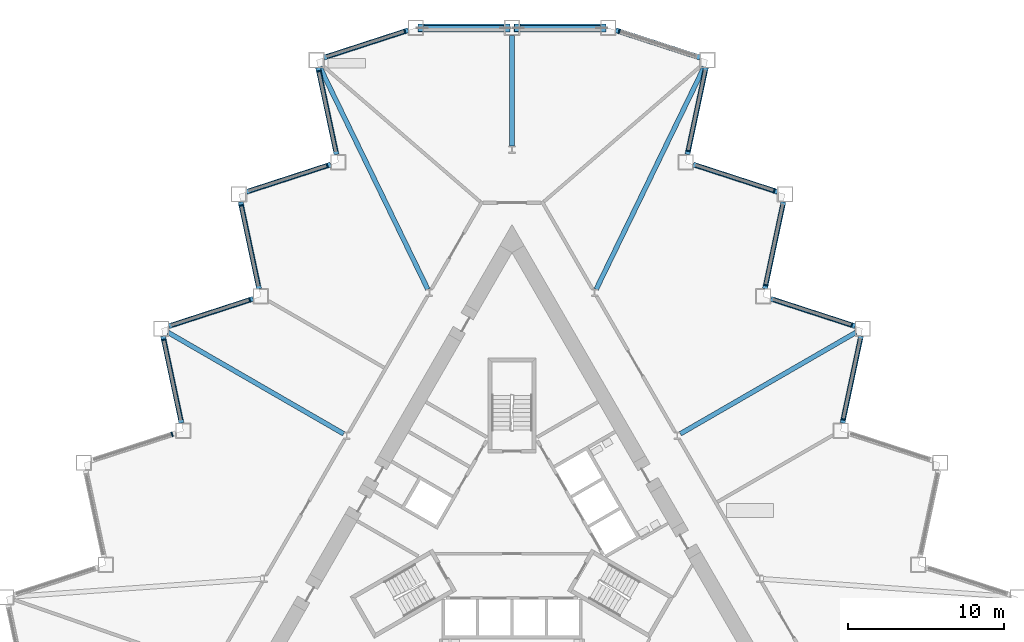
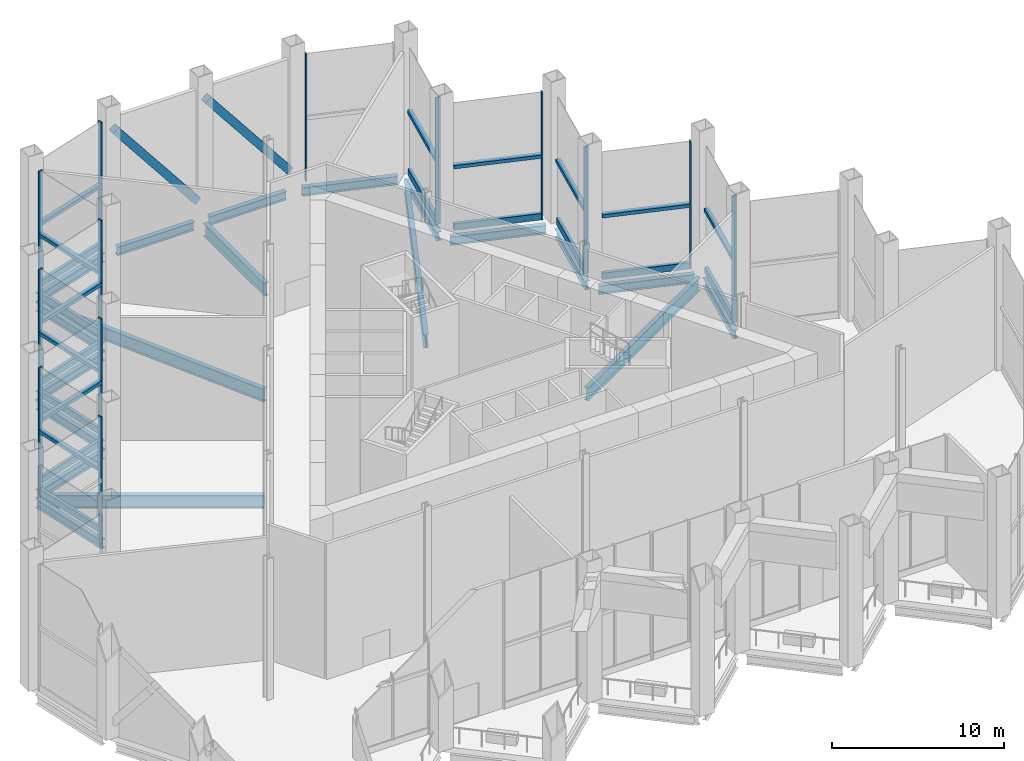
# One storey, part 4 of 17: 37 members, 19 beams, 2 elements without a shape of their own.
"""IFC4 building model written with IfcOpenShell, lengths in metres."""

from ifc_helpers import new_model, si_unit, direction, frame, origin, origin_2d, place, context, subcontext, project, spatial, rectangle, hollow_rectangle, i_section, extrude, material, layer, layer_set, material_profile, profile_set, type_object, element, aggregate, save


model = new_model("IFC4")

# Units and contexts
model_context = context("Model", 3, precision=1e-05, world=origin(), true_north=direction((0.0, 1.0)))
body_context = subcontext(model_context, "Body", "Model", "MODEL_VIEW")
ifc_project = project(units=[si_unit("LENGTHUNIT", "METRE"), si_unit("AREAUNIT", "SQUARE_METRE"), si_unit("VOLUMEUNIT", "CUBIC_METRE"), si_unit("PLANEANGLEUNIT", "RADIAN"), si_unit("MASSUNIT", "GRAM", prefix="KILO")], contexts=[model_context])

# Site, building, storey
site_placement = place(None, origin())
site = spatial("IfcSite", under=ifc_project, at=site_placement, CompositionType="ELEMENT")
building_placement = place(site_placement, origin())
building = spatial("IfcBuilding", under=site, at=building_placement, Name="Cormorant Prow Tower", CompositionType="ELEMENT")
storey_placement = place(building_placement, frame((0.0, 0.0, 84.60009765625)))
storey = spatial("IfcBuildingStorey", under=building, at=storey_placement, Name="L18", CompositionType="ELEMENT", Elevation=84.60009765625)

# Members
ifc_material_1 = material(Name="Structural steel ASTM A500 Gr C", Category="steel")
ifc_material_profile_1 = material_profile(ifc_material_1, hollow_rectangle(XDim=0.508056640625, YDim=0.508056640625, WallThickness=0.014892578125, at=origin_2d()), Name="HSS20x20x5/8")
ifc_profile_set_1 = profile_set([ifc_material_profile_1], Name="Structural steel ASTM A500 Gr C")
member_type_1 = type_object("IfcMemberType", Name="Chamfer brace HSS20x20x5/8", PredefinedType="BRACE", material=ifc_profile_set_1)
for number, where, z_axis, x_axis, name in (
    (1, (5.831298828125, 32.233642578125, 1.027099609375), (-0.620914983162, 0.0, 0.783877913762), (0.0, -1.0, 0.0), "Chamfer brace BR1 at N00 L18"),
    (2, (-0.33837890625, 32.233642578125, 1.027099609375), (-0.620914983162, 0.0, 0.783877913762), (0.0, -1.0, 0.0), "Chamfer brace BR1 at N01 L18"),
):
    element("IfcMember", number, at=place(storey_placement, frame(where, z_axis=z_axis, x_axis=x_axis)), inside=storey, type_object=member_type_1, Name=name, PredefinedType="BRACE", context=body_context, shape_type="SweptSolid", body=[
        extrude(hollow_rectangle(XDim=0.508056640625, YDim=0.508056640625, WallThickness=0.014892578125, at=origin_2d()), origin(), (0.0, 0.0, 1.0), 8.846435546875),
    ])

# Beams
ifc_material_2 = material(Name="Structural steel ASTM A992 Gr 50", Category="steel")
ifc_material_profile_2 = material_profile(ifc_material_2, i_section(OverallWidth=0.3046875, OverallDepth=0.914794921875, WebThickness=0.0166015625, FlangeThickness=0.02587890625, at=origin_2d()), Name="W36x160")
ifc_profile_set_2 = profile_set([ifc_material_profile_2], Name="Structural steel ASTM A992 Gr 50")
beam_type_1 = type_object("IfcBeamType", Name="Radial floor beam W36x160", PredefinedType="BEAM", material=ifc_profile_set_2)
beam_1_placement = place(storey_placement, frame((0.0, 24.662109375, -0.857421875), z_axis=(0.0, 1.0, 0.0), x_axis=(-1.0, 0.0, 0.0)))
element("IfcBeam", 3, at=beam_1_placement, inside=storey, type_object=beam_type_1, Name="Radial floor beam FB1 1 L18", PredefinedType="BEAM", context=body_context, shape_type="SweptSolid", body=[
    extrude(i_section(OverallWidth=0.3046875, OverallDepth=0.914794921875, WebThickness=0.0166015625, FlangeThickness=0.02587890625, at=origin_2d()), origin(), (0.0, 0.0, 1.0), 7.071533203125),
])
beam_2_placement = place(storey_placement, frame((-5.390625, 15.4775390625, -0.857421875), z_axis=(-0.436839436813, 0.899539496879, 0.0), x_axis=(-0.899539496879, -0.436839436813, 0.0)))
element("IfcBeam", 4, at=beam_2_placement, inside=storey, type_object=beam_type_1, Name="Radial floor beam FB1 2 L18", PredefinedType="BEAM", context=body_context, shape_type="SweptSolid", body=[
    extrude(i_section(OverallWidth=0.3046875, OverallDepth=0.914794921875, WebThickness=0.0166015625, FlangeThickness=0.02587890625, at=origin_2d()), origin(), (0.0, 0.0, 1.0), 15.83203125),
])
for number, where, z_axis, x_axis, name in (
    (5, (-10.779541015625, 6.2236328125, -0.857421875), (-0.866030278318, 0.499991556966, 0.0), (-0.499991556966, -0.866030278318, 0.0), "Radial floor beam FB1 3 L18"),
    (6, (10.779541015625, 6.2236328125, -0.857421875), (0.866030278318, 0.499991556966, 0.0), (-0.499991556966, 0.866030278318, 0.0), "Radial floor beam FB1 11 L18"),
):
    element("IfcBeam", number, at=place(storey_placement, frame(where, z_axis=z_axis, x_axis=x_axis)), inside=storey, type_object=beam_type_1, Name=name, PredefinedType="BEAM", context=body_context, shape_type="SweptSolid", body=[
        extrude(i_section(OverallWidth=0.3046875, OverallDepth=0.914794921875, WebThickness=0.0166015625, FlangeThickness=0.02587890625, at=origin_2d()), origin(), (0.0, 0.0, 1.0), 12.984130859375),
    ])
beam_3_placement = place(storey_placement, frame((5.390625, 15.4775390625, -0.857421875), z_axis=(0.436839436813, 0.899539496879, 0.0), x_axis=(-0.899539496879, 0.436839436813, 0.0)))
element("IfcBeam", 7, at=beam_3_placement, inside=storey, type_object=beam_type_1, Name="Radial floor beam FB1 12 L18", PredefinedType="BEAM", context=body_context, shape_type="SweptSolid", body=[
    extrude(i_section(OverallWidth=0.3046875, OverallDepth=0.914794921875, WebThickness=0.0166015625, FlangeThickness=0.02587890625, at=origin_2d()), origin(), (0.0, 0.0, 1.0), 15.83203125),
])

# Curtain wall, members
ifc_material_3 = material(Name="Aluminium 6063-T6", Category="aluminium")
ifc_layer = layer(ifc_material_3, 0.300048828125)
ifc_layer_set = layer_set([ifc_layer], Name="Aluminium 6063-T6")
curtain_wall_type = type_object("IfcCurtainWallType", Name="Sky lobby unitised curtain wall 300", PredefinedType="NOTDEFINED", material=ifc_layer_set)
curtain_wall_1_placement = place(storey_placement, origin())
curtain_wall_1 = element("IfcCurtainWall", 8, at=curtain_wall_1_placement, inside=storey, type_object=curtain_wall_type, Name="Sky lobby curtain wall ENE00-ENE09", PredefinedType="NOTDEFINED")
ifc_material_4 = material(Name="Aluminium 6063-T6", Category="aluminium")
ifc_material_profile_3 = material_profile(ifc_material_4, rectangle(XDim=0.300048828125, YDim=0.239990234375, at=origin_2d()), Name="Sky lobby intermediate transom 300x240")
ifc_profile_set_3 = profile_set([ifc_material_profile_3], Name="Aluminium 6063-T6")
member_type_2 = type_object("IfcMemberType", Name="Sky lobby intermediate transom 300x240", PredefinedType="USERDEFINED", material=ifc_profile_set_3)
member_1_placement = place(storey_placement, frame((21.230712890625, 7.195068359375, 4.494384765625), z_axis=(0.207892469327, 0.97815168619, 0.0), x_axis=(-0.97815168619, 0.207892469327, 0.0)))
member_1 = element("IfcMember", 9, at=member_1_placement, type_object=member_type_2, Name="Sky lobby intermediate transom ENE00-ENE09", ObjectType="TRANSOM", PredefinedType="USERDEFINED", context=body_context, shape_type="SweptSolid", body=[
    extrude(rectangle(XDim=0.300048828125, YDim=0.239990234375, at=origin_2d()), origin(), (0.0, 0.0, 1.0), 5.196533203125),
])
member_2_placement = place(storey_placement, frame((21.712646484375, 13.207763671875, 4.494384765625), z_axis=(-0.95106134075, 0.309002145834, 0.0), x_axis=(-0.309002145834, -0.95106134075, 0.0)))
member_2 = element("IfcMember", 10, at=member_2_placement, type_object=member_type_2, Name="Sky lobby intermediate transom ENE00-ENE09", ObjectType="TRANSOM", PredefinedType="USERDEFINED", context=body_context, shape_type="SweptSolid", body=[
    extrude(rectangle(XDim=0.300048828125, YDim=0.239990234375, at=origin_2d()), origin(), (0.0, 0.0, 1.0), 5.196533203125),
])
member_3_placement = place(storey_placement, frame((16.2646484375, 15.796630859375, 4.494384765625), z_axis=(0.207892469327, 0.97815168619, 0.0), x_axis=(-0.97815168619, 0.207892469327, 0.0)))
member_3 = element("IfcMember", 11, at=member_3_placement, type_object=member_type_2, Name="Sky lobby intermediate transom ENE00-ENE09", ObjectType="TRANSOM", PredefinedType="USERDEFINED", context=body_context, shape_type="SweptSolid", body=[
    extrude(rectangle(XDim=0.300048828125, YDim=0.239990234375, at=origin_2d()), origin(), (0.0, 0.0, 1.0), 5.196533203125),
])
member_4_placement = place(storey_placement, frame((16.74658203125, 21.80908203125, 4.494384765625), z_axis=(-0.951052019704, 0.309030833117, 0.0), x_axis=(-0.309030833117, -0.951052019704, 0.0)))
member_4 = element("IfcMember", 12, at=member_4_placement, type_object=member_type_2, Name="Sky lobby intermediate transom ENE00-ENE09", ObjectType="TRANSOM", PredefinedType="USERDEFINED", context=body_context, shape_type="SweptSolid", body=[
    extrude(rectangle(XDim=0.300048828125, YDim=0.239990234375, at=origin_2d()), origin(), (0.0, 0.0, 1.0), 5.19677734375),
])
member_5_placement = place(storey_placement, frame((11.298583984375, 24.39794921875, 4.494384765625), z_axis=(0.207892469327, 0.97815168619, 0.0), x_axis=(-0.97815168619, 0.207892469327, 0.0)))
member_5 = element("IfcMember", 13, at=member_5_placement, type_object=member_type_2, Name="Sky lobby intermediate transom ENE00-ENE09", ObjectType="TRANSOM", PredefinedType="USERDEFINED", context=body_context, shape_type="SweptSolid", body=[
    extrude(rectangle(XDim=0.300048828125, YDim=0.239990234375, at=origin_2d()), origin(), (0.0, 0.0, 1.0), 5.196533203125),
])

curtain_wall_2_placement = place(storey_placement, origin())
curtain_wall_2 = element("IfcCurtainWall", 14, at=curtain_wall_2_placement, inside=storey, type_object=curtain_wall_type, Name="Sky lobby curtain wall WNW00-WNW09", PredefinedType="NOTDEFINED")
member_6_placement = place(storey_placement, frame((-6.914306640625, 31.99169921875, 4.494384765625), z_axis=(-0.95106134075, -0.309002145834, 0.0), x_axis=(0.309002145834, -0.95106134075, 0.0)))
member_6 = element("IfcMember", 15, at=member_6_placement, type_object=member_type_2, Name="Sky lobby intermediate transom WNW00-WNW09", ObjectType="TRANSOM", PredefinedType="USERDEFINED", context=body_context, shape_type="SweptSolid", body=[
    extrude(rectangle(XDim=0.300048828125, YDim=0.239990234375, at=origin_2d()), origin(), (0.0, 0.0, 1.0), 5.196533203125),
])
member_7_placement = place(storey_placement, frame((-12.3623046875, 29.40283203125, 4.494384765625), z_axis=(0.207892469327, -0.97815168619, 0.0), x_axis=(0.97815168619, 0.207892469327, 0.0)))
member_7 = element("IfcMember", 16, at=member_7_placement, type_object=member_type_2, Name="Sky lobby intermediate transom WNW00-WNW09", ObjectType="TRANSOM", PredefinedType="USERDEFINED", context=body_context, shape_type="SweptSolid", body=[
    extrude(rectangle(XDim=0.300048828125, YDim=0.239990234375, at=origin_2d()), origin(), (0.0, 0.0, 1.0), 5.196533203125),
])
member_8_placement = place(storey_placement, frame((-11.88037109375, 23.39013671875, 4.494384765625), z_axis=(-0.95106134075, -0.309002145834, 0.0), x_axis=(0.309002145834, -0.95106134075, 0.0)))
member_8 = element("IfcMember", 17, at=member_8_placement, type_object=member_type_2, Name="Sky lobby intermediate transom WNW00-WNW09", ObjectType="TRANSOM", PredefinedType="USERDEFINED", context=body_context, shape_type="SweptSolid", body=[
    extrude(rectangle(XDim=0.300048828125, YDim=0.239990234375, at=origin_2d()), origin(), (0.0, 0.0, 1.0), 5.196533203125),
])
member_9_placement = place(storey_placement, frame((-17.328369140625, 20.80126953125, 4.494384765625), z_axis=(0.207892469327, -0.97815168619, 0.0), x_axis=(0.97815168619, 0.207892469327, 0.0)))
member_9 = element("IfcMember", 18, at=member_9_placement, type_object=member_type_2, Name="Sky lobby intermediate transom WNW00-WNW09", ObjectType="TRANSOM", PredefinedType="USERDEFINED", context=body_context, shape_type="SweptSolid", body=[
    extrude(rectangle(XDim=0.300048828125, YDim=0.239990234375, at=origin_2d()), origin(), (0.0, 0.0, 1.0), 5.196533203125),
])
member_10_placement = place(storey_placement, frame((-16.846435546875, 14.788818359375, 4.494384765625), z_axis=(-0.951047532863, -0.309044641168, 0.0), x_axis=(0.309044641168, -0.951047532863, 0.0)))
member_10 = element("IfcMember", 19, at=member_10_placement, type_object=member_type_2, Name="Sky lobby intermediate transom WNW00-WNW09", ObjectType="TRANSOM", PredefinedType="USERDEFINED", context=body_context, shape_type="SweptSolid", body=[
    extrude(rectangle(XDim=0.300048828125, YDim=0.239990234375, at=origin_2d()), origin(), (0.0, 0.0, 1.0), 5.196533203125),
])
member_11_placement = place(storey_placement, frame((-22.29443359375, 12.19970703125, 4.494384765625), z_axis=(0.207902023431, -0.97814965555, 0.0), x_axis=(0.97814965555, 0.207902023431, 0.0)))
member_11 = element("IfcMember", 20, at=member_11_placement, type_object=member_type_2, Name="Sky lobby intermediate transom WNW00-WNW09", ObjectType="TRANSOM", PredefinedType="USERDEFINED", context=body_context, shape_type="SweptSolid", body=[
    extrude(rectangle(XDim=0.300048828125, YDim=0.239990234375, at=origin_2d()), origin(), (0.0, 0.0, 1.0), 5.1962890625),
])

# Member
ifc_material_5 = material(Name="Aluminium 6063-T6", Category="aluminium")
ifc_material_profile_4 = material_profile(ifc_material_5, rectangle(XDim=0.300048828125, YDim=0.080078125, at=origin_2d()), Name="Sky lobby mullion 80x300")
ifc_profile_set_4 = profile_set([ifc_material_profile_4], Name="Aluminium 6063-T6")
member_type_3 = type_object("IfcMemberType", Name="Sky lobby mullion 80x300", PredefinedType="MULLION", material=ifc_profile_set_4)
member_12_placement = place(storey_placement, frame((21.222412109375, 7.156005859375, 0.0), z_axis=(0.0, 0.0, 1.0), x_axis=(-0.978147620558, 0.207911597554, 0.0)))
member_12 = element("IfcMember", 21, at=member_12_placement, type_object=member_type_3, Name="Sky lobby mullion ENE00-ENE09", PredefinedType="MULLION", context=body_context, shape_type="SweptSolid", body=[
    extrude(rectangle(XDim=0.300048828125, YDim=0.080078125, at=origin_2d()), origin(), (0.0, 0.0, 1.0), 8.98876953125),
])

member_13_placement = place(storey_placement, frame((21.75048828125, 13.1953125, 0.0), z_axis=(0.0, 0.0, 1.0), x_axis=(-0.309017131848, -0.951056471627, 0.0)))
member_13 = element("IfcMember", 22, at=member_13_placement, type_object=member_type_3, Name="Sky lobby mullion ENE00-ENE09", PredefinedType="MULLION", context=body_context, shape_type="SweptSolid", body=[
    extrude(rectangle(XDim=0.300048828125, YDim=0.080078125, at=origin_2d()), origin(), (0.0, 0.0, 1.0), 8.98876953125),
])

member_14_placement = place(storey_placement, frame((16.25634765625, 15.757568359375, 0.0), z_axis=(0.0, 0.0, 1.0), x_axis=(-0.978147620558, 0.207911597554, 0.0)))
member_14 = element("IfcMember", 23, at=member_14_placement, type_object=member_type_3, Name="Sky lobby mullion ENE00-ENE09", PredefinedType="MULLION", context=body_context, shape_type="SweptSolid", body=[
    extrude(rectangle(XDim=0.300048828125, YDim=0.080078125, at=origin_2d()), origin(), (0.0, 0.0, 1.0), 8.98876953125),
])

member_15_placement = place(storey_placement, frame((16.784423828125, 21.796875, 0.0), z_axis=(0.0, 0.0, 1.0), x_axis=(-0.309016996483, -0.95105651561, 0.0)))
member_15 = element("IfcMember", 24, at=member_15_placement, type_object=member_type_3, Name="Sky lobby mullion ENE00-ENE09", PredefinedType="MULLION", context=body_context, shape_type="SweptSolid", body=[
    extrude(rectangle(XDim=0.300048828125, YDim=0.080078125, at=origin_2d()), origin(), (0.0, 0.0, 1.0), 8.98876953125),
])

member_16_placement = place(storey_placement, frame((11.290283203125, 24.35888671875, 0.0), z_axis=(0.0, 0.0, 1.0), x_axis=(-0.978147620558, 0.207911597554, 0.0)))
member_16 = element("IfcMember", 25, at=member_16_placement, type_object=member_type_3, Name="Sky lobby mullion ENE00-ENE09", PredefinedType="MULLION", context=body_context, shape_type="SweptSolid", body=[
    extrude(rectangle(XDim=0.300048828125, YDim=0.080078125, at=origin_2d()), origin(), (0.0, 0.0, 1.0), 8.98876953125),
])

member_17_placement = place(storey_placement, frame((6.876220703125, 32.004150390625, 0.0), z_axis=(0.0, 0.0, 1.0), x_axis=(-0.309016952512, -0.951056529897, 0.0)))
member_17 = element("IfcMember", 26, at=member_17_placement, type_object=member_type_3, Name="Sky lobby mullion ENE00-ENE09", PredefinedType="MULLION", context=body_context, shape_type="SweptSolid", body=[
    extrude(rectangle(XDim=0.300048828125, YDim=0.080078125, at=origin_2d()), origin(), (0.0, 0.0, 1.0), 8.98876953125),
])

member_18_placement = place(storey_placement, frame((-6.876220703125, 32.004150390625, 0.0), z_axis=(0.0, 0.0, 1.0), x_axis=(0.309016952512, -0.951056529897, 0.0)))
member_18 = element("IfcMember", 27, at=member_18_placement, type_object=member_type_3, Name="Sky lobby mullion WNW00-WNW09", PredefinedType="MULLION", context=body_context, shape_type="SweptSolid", body=[
    extrude(rectangle(XDim=0.300048828125, YDim=0.080078125, at=origin_2d()), origin(), (0.0, 0.0, 1.0), 8.98876953125),
])

member_19_placement = place(storey_placement, frame((-12.37060546875, 29.44189453125, 0.0), z_axis=(0.0, 0.0, 1.0), x_axis=(0.978147620558, 0.207911597554, 0.0)))
member_19 = element("IfcMember", 28, at=member_19_placement, type_object=member_type_3, Name="Sky lobby mullion WNW00-WNW09", PredefinedType="MULLION", context=body_context, shape_type="SweptSolid", body=[
    extrude(rectangle(XDim=0.300048828125, YDim=0.080078125, at=origin_2d()), origin(), (0.0, 0.0, 1.0), 8.98876953125),
])

member_20_placement = place(storey_placement, frame((-11.84228515625, 23.402587890625, 0.0), z_axis=(0.0, 0.0, 1.0), x_axis=(0.309016996483, -0.95105651561, 0.0)))
member_20 = element("IfcMember", 29, at=member_20_placement, type_object=member_type_3, Name="Sky lobby mullion WNW00-WNW09", PredefinedType="MULLION", context=body_context, shape_type="SweptSolid", body=[
    extrude(rectangle(XDim=0.300048828125, YDim=0.080078125, at=origin_2d()), origin(), (0.0, 0.0, 1.0), 8.98876953125),
])

member_21_placement = place(storey_placement, frame((-17.336669921875, 20.84033203125, 0.0), z_axis=(0.0, 0.0, 1.0), x_axis=(0.978147620558, 0.207911597554, 0.0)))
member_21 = element("IfcMember", 30, at=member_21_placement, type_object=member_type_3, Name="Sky lobby mullion WNW00-WNW09", PredefinedType="MULLION", context=body_context, shape_type="SweptSolid", body=[
    extrude(rectangle(XDim=0.300048828125, YDim=0.080078125, at=origin_2d()), origin(), (0.0, 0.0, 1.0), 8.98876953125),
])

member_22_placement = place(storey_placement, frame((-16.808349609375, 14.801025390625, 0.0), z_axis=(0.0, 0.0, 1.0), x_axis=(0.309017131848, -0.951056471627, 0.0)))
member_22 = element("IfcMember", 31, at=member_22_placement, type_object=member_type_3, Name="Sky lobby mullion WNW00-WNW09", PredefinedType="MULLION", context=body_context, shape_type="SweptSolid", body=[
    extrude(rectangle(XDim=0.300048828125, YDim=0.080078125, at=origin_2d()), origin(), (0.0, 0.0, 1.0), 8.98876953125),
])

member_23_placement = place(storey_placement, frame((-22.302734375, 12.239013671875, 0.0), z_axis=(0.0, 0.0, 1.0), x_axis=(0.978147620558, 0.207911597554, 0.0)))
member_23 = element("IfcMember", 32, at=member_23_placement, type_object=member_type_3, Name="Sky lobby mullion WNW00-WNW09", PredefinedType="MULLION", context=body_context, shape_type="SweptSolid", body=[
    extrude(rectangle(XDim=0.300048828125, YDim=0.080078125, at=origin_2d()), origin(), (0.0, 0.0, 1.0), 8.98876953125),
])

member_24_placement = place(storey_placement, frame((-21.7744140625, 6.19970703125, 0.0), z_axis=(0.0, 0.0, 1.0), x_axis=(0.309016952512, -0.951056529897, 0.0)))
member_24 = element("IfcMember", 33, at=member_24_placement, type_object=member_type_3, Name="Sky lobby mullion WNW00-WNW09", PredefinedType="MULLION", context=body_context, shape_type="SweptSolid", body=[
    extrude(rectangle(XDim=0.300048828125, YDim=0.080078125, at=origin_2d()), origin(), (0.0, 0.0, 1.0), 8.98876953125),
])

ifc_material_6 = material(Name="Terracotta", Category="masonry")
ifc_material_profile_5 = material_profile(ifc_material_6, rectangle(XDim=0.219970703125, YDim=0.449951171875, at=origin_2d()), Name="Sky lobby terracotta spandrel rail 220x450")
ifc_profile_set_5 = profile_set([ifc_material_profile_5], Name="Terracotta")
member_type_4 = type_object("IfcMemberType", Name="Sky lobby terracotta spandrel rail 220x450", PredefinedType="USERDEFINED", material=ifc_profile_set_5)
member_25_placement = place(storey_placement, frame((21.230712890625, 7.195068359375, 0.224853515625), z_axis=(0.207892469327, 0.97815168619, 0.0), x_axis=(-0.97815168619, 0.207892469327, 0.0)))
member_25 = element("IfcMember", 34, at=member_25_placement, type_object=member_type_4, Name="Sky lobby spandrel rail ENE00-ENE09", ObjectType="TRANSOM", PredefinedType="USERDEFINED", context=body_context, shape_type="SweptSolid", body=[
    extrude(rectangle(XDim=0.219970703125, YDim=0.449951171875, at=origin_2d()), origin(), (0.0, 0.0, 1.0), 5.196533203125),
])

member_26_placement = place(storey_placement, frame((21.712646484375, 13.207763671875, 0.224853515625), z_axis=(-0.95106134075, 0.309002145834, 0.0), x_axis=(-0.309002145834, -0.95106134075, 0.0)))
member_26 = element("IfcMember", 35, at=member_26_placement, type_object=member_type_4, Name="Sky lobby spandrel rail ENE00-ENE09", ObjectType="TRANSOM", PredefinedType="USERDEFINED", context=body_context, shape_type="SweptSolid", body=[
    extrude(rectangle(XDim=0.219970703125, YDim=0.449951171875, at=origin_2d()), origin(), (0.0, 0.0, 1.0), 5.196533203125),
])

member_27_placement = place(storey_placement, frame((16.2646484375, 15.796630859375, 0.224853515625), z_axis=(0.207892469327, 0.97815168619, 0.0), x_axis=(-0.97815168619, 0.207892469327, 0.0)))
member_27 = element("IfcMember", 36, at=member_27_placement, type_object=member_type_4, Name="Sky lobby spandrel rail ENE00-ENE09", ObjectType="TRANSOM", PredefinedType="USERDEFINED", context=body_context, shape_type="SweptSolid", body=[
    extrude(rectangle(XDim=0.219970703125, YDim=0.449951171875, at=origin_2d()), origin(), (0.0, 0.0, 1.0), 5.196533203125),
])

member_28_placement = place(storey_placement, frame((16.74658203125, 21.80908203125, 0.224853515625), z_axis=(-0.951052019704, 0.309030833117, 0.0), x_axis=(-0.309030833117, -0.951052019704, 0.0)))
member_28 = element("IfcMember", 37, at=member_28_placement, type_object=member_type_4, Name="Sky lobby spandrel rail ENE00-ENE09", ObjectType="TRANSOM", PredefinedType="USERDEFINED", context=body_context, shape_type="SweptSolid", body=[
    extrude(rectangle(XDim=0.219970703125, YDim=0.449951171875, at=origin_2d()), origin(), (0.0, 0.0, 1.0), 5.19677734375),
])

member_29_placement = place(storey_placement, frame((11.298583984375, 24.39794921875, 0.224853515625), z_axis=(0.207892469327, 0.97815168619, 0.0), x_axis=(-0.97815168619, 0.207892469327, 0.0)))
member_29 = element("IfcMember", 38, at=member_29_placement, type_object=member_type_4, Name="Sky lobby spandrel rail ENE00-ENE09", ObjectType="TRANSOM", PredefinedType="USERDEFINED", context=body_context, shape_type="SweptSolid", body=[
    extrude(rectangle(XDim=0.219970703125, YDim=0.449951171875, at=origin_2d()), origin(), (0.0, 0.0, 1.0), 5.196533203125),
])

aggregate(curtain_wall_1, [member_12, member_25, member_1, member_13, member_26, member_2, member_14, member_27, member_3, member_15, member_28, member_4, member_16, member_29, member_5, member_17])

member_30_placement = place(storey_placement, frame((-6.914306640625, 31.99169921875, 0.224853515625), z_axis=(-0.95106134075, -0.309002145834, 0.0), x_axis=(0.309002145834, -0.95106134075, 0.0)))
member_30 = element("IfcMember", 39, at=member_30_placement, type_object=member_type_4, Name="Sky lobby spandrel rail WNW00-WNW09", ObjectType="TRANSOM", PredefinedType="USERDEFINED", context=body_context, shape_type="SweptSolid", body=[
    extrude(rectangle(XDim=0.219970703125, YDim=0.449951171875, at=origin_2d()), origin(), (0.0, 0.0, 1.0), 5.196533203125),
])

member_31_placement = place(storey_placement, frame((-12.3623046875, 29.40283203125, 0.224853515625), z_axis=(0.207892469327, -0.97815168619, 0.0), x_axis=(0.97815168619, 0.207892469327, 0.0)))
member_31 = element("IfcMember", 40, at=member_31_placement, type_object=member_type_4, Name="Sky lobby spandrel rail WNW00-WNW09", ObjectType="TRANSOM", PredefinedType="USERDEFINED", context=body_context, shape_type="SweptSolid", body=[
    extrude(rectangle(XDim=0.219970703125, YDim=0.449951171875, at=origin_2d()), origin(), (0.0, 0.0, 1.0), 5.196533203125),
])

member_32_placement = place(storey_placement, frame((-11.88037109375, 23.39013671875, 0.224853515625), z_axis=(-0.95106134075, -0.309002145834, 0.0), x_axis=(0.309002145834, -0.95106134075, 0.0)))
member_32 = element("IfcMember", 41, at=member_32_placement, type_object=member_type_4, Name="Sky lobby spandrel rail WNW00-WNW09", ObjectType="TRANSOM", PredefinedType="USERDEFINED", context=body_context, shape_type="SweptSolid", body=[
    extrude(rectangle(XDim=0.219970703125, YDim=0.449951171875, at=origin_2d()), origin(), (0.0, 0.0, 1.0), 5.196533203125),
])

member_33_placement = place(storey_placement, frame((-17.328369140625, 20.80126953125, 0.224853515625), z_axis=(0.207892469327, -0.97815168619, 0.0), x_axis=(0.97815168619, 0.207892469327, 0.0)))
member_33 = element("IfcMember", 42, at=member_33_placement, type_object=member_type_4, Name="Sky lobby spandrel rail WNW00-WNW09", ObjectType="TRANSOM", PredefinedType="USERDEFINED", context=body_context, shape_type="SweptSolid", body=[
    extrude(rectangle(XDim=0.219970703125, YDim=0.449951171875, at=origin_2d()), origin(), (0.0, 0.0, 1.0), 5.196533203125),
])

member_34_placement = place(storey_placement, frame((-16.846435546875, 14.788818359375, 0.224853515625), z_axis=(-0.951047532863, -0.309044641168, 0.0), x_axis=(0.309044641168, -0.951047532863, 0.0)))
member_34 = element("IfcMember", 43, at=member_34_placement, type_object=member_type_4, Name="Sky lobby spandrel rail WNW00-WNW09", ObjectType="TRANSOM", PredefinedType="USERDEFINED", context=body_context, shape_type="SweptSolid", body=[
    extrude(rectangle(XDim=0.219970703125, YDim=0.449951171875, at=origin_2d()), origin(), (0.0, 0.0, 1.0), 5.196533203125),
])

member_35_placement = place(storey_placement, frame((-22.29443359375, 12.19970703125, 0.224853515625), z_axis=(0.207902023431, -0.97814965555, 0.0), x_axis=(0.97814965555, 0.207902023431, 0.0)))
member_35 = element("IfcMember", 44, at=member_35_placement, type_object=member_type_4, Name="Sky lobby spandrel rail WNW00-WNW09", ObjectType="TRANSOM", PredefinedType="USERDEFINED", context=body_context, shape_type="SweptSolid", body=[
    extrude(rectangle(XDim=0.219970703125, YDim=0.449951171875, at=origin_2d()), origin(), (0.0, 0.0, 1.0), 5.1962890625),
])

aggregate(curtain_wall_2, [member_18, member_30, member_6, member_19, member_31, member_7, member_20, member_32, member_8, member_21, member_33, member_9, member_22, member_34, member_10, member_23, member_35, member_11, member_24])

# Beams
ifc_material_7 = material(Name="Structural steel ASTM A992 Gr 50", Category="steel")
ifc_material_profile_6 = material_profile(ifc_material_7, i_section(OverallWidth=0.32373046875, OverallDepth=0.611083984375, WebThickness=0.0126953125, FlangeThickness=0.01904296875, at=origin_2d()), Name="W24x104")
ifc_profile_set_6 = profile_set([ifc_material_profile_6], Name="Structural steel ASTM A992 Gr 50")
beam_type_2 = type_object("IfcBeamType", Name="Spandrel beam W24x104", PredefinedType="SPANDREL", material=ifc_profile_set_6)
beam_4_placement = place(storey_placement, frame((21.171875, 6.918212890625, -0.70556640625), z_axis=(0.207900376723, 0.97815000555, 0.0), x_axis=(-0.97815000555, 0.207900376723, 0.0)))
element("IfcBeam", 45, at=beam_4_placement, inside=storey, type_object=beam_type_2, Name="Spandrel beam SB1 ENE04-ENE05 L18", PredefinedType="SPANDREL", context=body_context, shape_type="SweptSolid", body=[
    extrude(i_section(OverallWidth=0.32373046875, OverallDepth=0.611083984375, WebThickness=0.0126953125, FlangeThickness=0.01904296875, at=origin_2d()), origin(), (0.0, 0.0, 1.0), 5.6826171875),
])
beam_5_placement = place(storey_placement, frame((21.981689453125, 13.1201171875, -0.70556640625), z_axis=(-0.951049222751, 0.309039440696, 0.0), x_axis=(-0.309039440696, -0.951049222751, 0.0)))
element("IfcBeam", 46, at=beam_5_placement, inside=storey, type_object=beam_type_2, Name="Spandrel beam SB1 ENE05-ENE06 L18", PredefinedType="SPANDREL", context=body_context, shape_type="SweptSolid", body=[
    extrude(i_section(OverallWidth=0.32373046875, OverallDepth=0.611083984375, WebThickness=0.0126953125, FlangeThickness=0.01904296875, at=origin_2d()), origin(), (0.0, 0.0, 1.0), 5.682373046875),
])
beam_6_placement = place(storey_placement, frame((16.205810546875, 15.519775390625, -0.70556640625), z_axis=(0.207900376723, 0.97815000555, 0.0), x_axis=(-0.97815000555, 0.207900376723, 0.0)))
element("IfcBeam", 47, at=beam_6_placement, inside=storey, type_object=beam_type_2, Name="Spandrel beam SB1 ENE06-ENE07 L18", PredefinedType="SPANDREL", context=body_context, shape_type="SweptSolid", body=[
    extrude(i_section(OverallWidth=0.32373046875, OverallDepth=0.611083984375, WebThickness=0.0126953125, FlangeThickness=0.01904296875, at=origin_2d()), origin(), (0.0, 0.0, 1.0), 5.6826171875),
])
beam_7_placement = place(storey_placement, frame((17.015625, 21.7216796875, -0.70556640625), z_axis=(-0.951049222751, 0.309039440696, 0.0), x_axis=(-0.309039440696, -0.951049222751, 0.0)))
element("IfcBeam", 48, at=beam_7_placement, inside=storey, type_object=beam_type_2, Name="Spandrel beam SB1 ENE07-ENE08 L18", PredefinedType="SPANDREL", context=body_context, shape_type="SweptSolid", body=[
    extrude(i_section(OverallWidth=0.32373046875, OverallDepth=0.611083984375, WebThickness=0.0126953125, FlangeThickness=0.01904296875, at=origin_2d()), origin(), (0.0, 0.0, 1.0), 5.682373046875),
])
beam_8_placement = place(storey_placement, frame((11.23974609375, 24.121337890625, -0.70556640625), z_axis=(0.207900376723, 0.97815000555, 0.0), x_axis=(-0.97815000555, 0.207900376723, 0.0)))
element("IfcBeam", 49, at=beam_8_placement, inside=storey, type_object=beam_type_2, Name="Spandrel beam SB1 ENE08-ENE09 L18", PredefinedType="SPANDREL", context=body_context, shape_type="SweptSolid", body=[
    extrude(i_section(OverallWidth=0.32373046875, OverallDepth=0.611083984375, WebThickness=0.0126953125, FlangeThickness=0.01904296875, at=origin_2d()), origin(), (0.0, 0.0, 1.0), 5.6826171875),
])
beam_9_placement = place(storey_placement, frame((12.049560546875, 30.3232421875, -0.70556640625), z_axis=(-0.951061849722, 0.309000579292, 0.0), x_axis=(-0.309000579292, -0.951061849722, 0.0)))
element("IfcBeam", 50, at=beam_9_placement, inside=storey, type_object=beam_type_2, Name="Spandrel beam SB1 ENE09-N00 L18", PredefinedType="SPANDREL", context=body_context, shape_type="SweptSolid", body=[
    extrude(i_section(OverallWidth=0.32373046875, OverallDepth=0.611083984375, WebThickness=0.0126953125, FlangeThickness=0.01904296875, at=origin_2d()), origin(), (0.0, 0.0, 1.0), 5.682373046875),
])
for number, where, z_axis, x_axis, name in (
    (51, (5.669677734375, 32.233642578125, -0.70556640625), (-1.0, 0.0, 0.0), (0.0, -1.0, 0.0), "Spandrel beam SB1 N00-N01 L18"),
    (52, (-0.5, 32.233642578125, -0.70556640625), (-1.0, 0.0, 0.0), (0.0, -1.0, 0.0), "Spandrel beam SB1 N01-WNW00 L18"),
):
    element("IfcBeam", number, at=place(storey_placement, frame(where, z_axis=z_axis, x_axis=x_axis)), inside=storey, type_object=beam_type_2, Name=name, PredefinedType="SPANDREL", context=body_context, shape_type="SweptSolid", body=[
        extrude(i_section(OverallWidth=0.32373046875, OverallDepth=0.611083984375, WebThickness=0.0126953125, FlangeThickness=0.01904296875, at=origin_2d()), origin(), (0.0, 0.0, 1.0), 5.169677734375),
    ])
beam_10_placement = place(storey_placement, frame((-6.645263671875, 32.0791015625, -0.70556640625), z_axis=(-0.951061849722, -0.309000579292, 0.0), x_axis=(0.309000579292, -0.951061849722, 0.0)))
element("IfcBeam", 53, at=beam_10_placement, inside=storey, type_object=beam_type_2, Name="Spandrel beam SB1 WNW00-WNW01 L18", PredefinedType="SPANDREL", context=body_context, shape_type="SweptSolid", body=[
    extrude(i_section(OverallWidth=0.32373046875, OverallDepth=0.611083984375, WebThickness=0.0126953125, FlangeThickness=0.01904296875, at=origin_2d()), origin(), (0.0, 0.0, 1.0), 5.682373046875),
])
beam_11_placement = place(storey_placement, frame((-12.421142578125, 29.6796875, -0.70556640625), z_axis=(0.207900376723, -0.97815000555, 0.0), x_axis=(0.97815000555, 0.207900376723, 0.0)))
element("IfcBeam", 54, at=beam_11_placement, inside=storey, type_object=beam_type_2, Name="Spandrel beam SB1 WNW01-WNW02 L18", PredefinedType="SPANDREL", context=body_context, shape_type="SweptSolid", body=[
    extrude(i_section(OverallWidth=0.32373046875, OverallDepth=0.611083984375, WebThickness=0.0126953125, FlangeThickness=0.01904296875, at=origin_2d()), origin(), (0.0, 0.0, 1.0), 5.6826171875),
])
beam_12_placement = place(storey_placement, frame((-11.611328125, 23.477783203125, -0.70556640625), z_axis=(-0.951049222751, -0.309039440696, 0.0), x_axis=(0.309039440696, -0.951049222751, 0.0)))
element("IfcBeam", 55, at=beam_12_placement, inside=storey, type_object=beam_type_2, Name="Spandrel beam SB1 WNW02-WNW03 L18", PredefinedType="SPANDREL", context=body_context, shape_type="SweptSolid", body=[
    extrude(i_section(OverallWidth=0.32373046875, OverallDepth=0.611083984375, WebThickness=0.0126953125, FlangeThickness=0.01904296875, at=origin_2d()), origin(), (0.0, 0.0, 1.0), 5.682373046875),
])
beam_13_placement = place(storey_placement, frame((-17.38720703125, 21.078125, -0.70556640625), z_axis=(0.207900376723, -0.97815000555, 0.0), x_axis=(0.97815000555, 0.207900376723, 0.0)))
element("IfcBeam", 56, at=beam_13_placement, inside=storey, type_object=beam_type_2, Name="Spandrel beam SB1 WNW03-WNW04 L18", PredefinedType="SPANDREL", context=body_context, shape_type="SweptSolid", body=[
    extrude(i_section(OverallWidth=0.32373046875, OverallDepth=0.611083984375, WebThickness=0.0126953125, FlangeThickness=0.01904296875, at=origin_2d()), origin(), (0.0, 0.0, 1.0), 5.6826171875),
])
beam_14_placement = place(storey_placement, frame((-16.577392578125, 14.876220703125, -0.70556640625), z_axis=(-0.951049222751, -0.309039440696, 0.0), x_axis=(0.309039440696, -0.951049222751, 0.0)))
element("IfcBeam", 57, at=beam_14_placement, inside=storey, type_object=beam_type_2, Name="Spandrel beam SB1 WNW04-WNW05 L18", PredefinedType="SPANDREL", context=body_context, shape_type="SweptSolid", body=[
    extrude(i_section(OverallWidth=0.32373046875, OverallDepth=0.611083984375, WebThickness=0.0126953125, FlangeThickness=0.01904296875, at=origin_2d()), origin(), (0.0, 0.0, 1.0), 5.682373046875),
])
beam_15_placement = place(storey_placement, frame((-22.353271484375, 12.4765625, -0.70556640625), z_axis=(0.207900376723, -0.97815000555, 0.0), x_axis=(0.97815000555, 0.207900376723, 0.0)))
element("IfcBeam", 58, at=beam_15_placement, inside=storey, type_object=beam_type_2, Name="Spandrel beam SB1 WNW05-WNW06 L18", PredefinedType="SPANDREL", context=body_context, shape_type="SweptSolid", body=[
    extrude(i_section(OverallWidth=0.32373046875, OverallDepth=0.611083984375, WebThickness=0.0126953125, FlangeThickness=0.01904296875, at=origin_2d()), origin(), (0.0, 0.0, 1.0), 5.6826171875),
])

save(model, "model.ifc")
